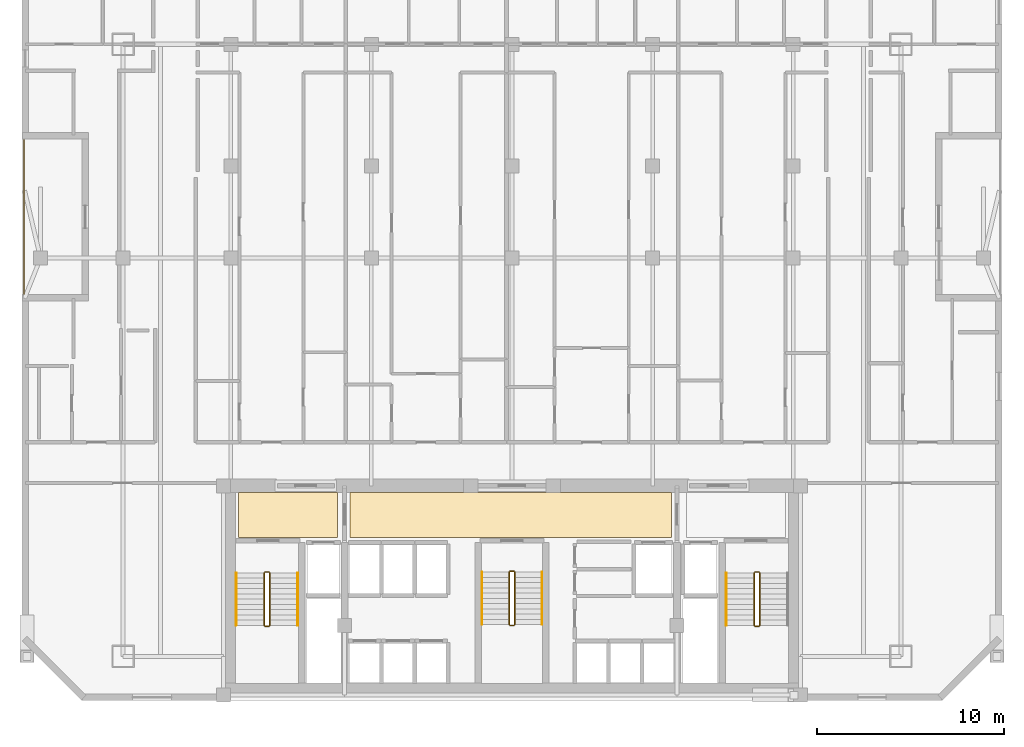
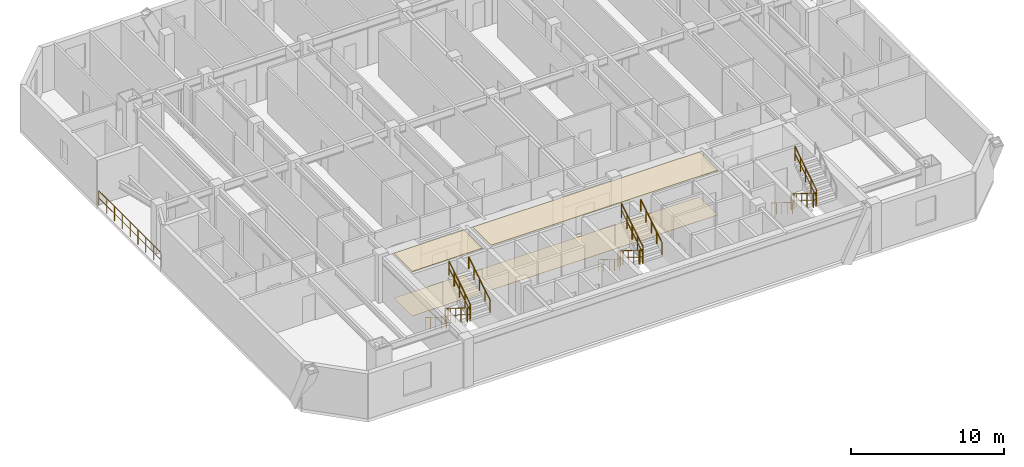
# One storey, part 10 of 11: 18 railings, 4 coverings.
"""IFC4 building model written with IfcOpenShell, lengths in metres."""

import ifcopenshell
import ifcopenshell.guid

model = None  # the IFC model being written
_history = None  # IfcOwnerHistory: only IFC2X3 demands one
_inside = {}  # id of a spatial element -> (the spatial element, [elements in it])
_under = {}  # id of a project, library or spatial element -> (it, [spatial elements below it])
_declared = {}  # id of a project -> (the project, [libraries it declares])
_typed = {}  # id of a type object -> (the type object, [elements of that type])
_made_of = {}  # id of a material, layer set ... -> (it, [elements and type objects made of it])


def new_model(schema):
    """Start an empty IFC model of exactly this schema.

    Asked for "IFC4X3", IfcOpenShell would pick the latest addendum, in which some entities
    have other attributes; the version numbers below select the first issue.
    IFC2X3 requires an IfcOwnerHistory on every rooted entity: one is made here for all.
    """
    global model, _history
    if schema == "IFC4X3":
        model = ifcopenshell.file(schema_version=(4, 3, 0, 0))
    else:
        model = ifcopenshell.file(schema=schema)
    _inside.clear()
    _under.clear()
    _declared.clear()
    _typed.clear()
    _made_of.clear()
    _history = None
    if model.schema == "IFC2X3":
        org = make("IfcOrganization", Name="unknown")
        user = make(
            "IfcPersonAndOrganization",
            ThePerson=make("IfcPerson", FamilyName="unknown"),
            TheOrganization=org,
        )
        app = make(
            "IfcApplication",
            ApplicationDeveloper=org,
            Version="unknown",
            ApplicationFullName="unknown",
            ApplicationIdentifier="unknown",
        )
        _history = make(
            "IfcOwnerHistory",
            OwningUser=user,
            OwningApplication=app,
            ChangeAction="ADDED",
            CreationDate=0,
        )
    return model


def make(cls, **values):
    """One entity of the class cls with the attributes given. An attribute that is None is left unset."""
    return model.create_entity(
        cls, **{name: value for name, value in values.items() if value is not None}
    )


def rooted(cls, **values):
    """An entity with a GlobalId (a new one), such as an element, a storey or a relation."""
    return make(cls, GlobalId=ifcopenshell.guid.new(), OwnerHistory=_history, **values)


def si_unit(unit_type, name, prefix=None):
    """IfcSIUnit, for example si_unit("LENGTHUNIT", "METRE", prefix="MILLI")."""
    return make("IfcSIUnit", UnitType=unit_type, Prefix=prefix, Name=name)


def assignment(units):
    """IfcUnitAssignment: the units of a project."""
    return None if units is None else make("IfcUnitAssignment", Units=units)


def point(xyz):
    """IfcCartesianPoint."""
    return None if xyz is None else make("IfcCartesianPoint", Coordinates=xyz)


def direction(xyz):
    """IfcDirection."""
    return None if xyz is None else make("IfcDirection", DirectionRatios=xyz)


def frame(location, z_axis=None, x_axis=None):
    """IfcAxis2Placement3D, a coordinate frame: its origin and axes. An axis left out is left unset."""
    return make(
        "IfcAxis2Placement3D",
        Location=point(location),
        Axis=direction(z_axis),
        RefDirection=direction(x_axis),
    )


def frame_2d(location, x_axis=None):
    """IfcAxis2Placement2D, a coordinate frame in the plane: its origin and x axis."""
    return make(
        "IfcAxis2Placement2D", Location=point(location), RefDirection=direction(x_axis)
    )


def origin():
    """The frame at (0, 0, 0) with its axes left unset."""
    return frame((0.0, 0.0, 0.0))


def origin_2d():
    """The frame at (0, 0) in the plane with its x axis left unset."""
    return frame_2d((0.0, 0.0))


def place(relative_to, where):
    """IfcLocalPlacement: puts the frame where relative to a parent placement (None: the world)."""
    return make(
        "IfcLocalPlacement", PlacementRelTo=relative_to, RelativePlacement=where
    )


def context(
    kind, dimensions, precision=None, world=None, true_north=None, identifier=None
):
    """IfcGeometricRepresentationContext, for example the 3D "Model" context."""
    return make(
        "IfcGeometricRepresentationContext",
        ContextIdentifier=identifier,
        ContextType=kind,
        CoordinateSpaceDimension=dimensions,
        Precision=precision,
        WorldCoordinateSystem=world,
        TrueNorth=true_north,
    )


def subcontext(parent, identifier, kind, view, scale=None):
    """IfcGeometricRepresentationSubContext, for example "Body" below "Model"."""
    return make(
        "IfcGeometricRepresentationSubContext",
        ContextIdentifier=identifier,
        ContextType=kind,
        ParentContext=parent,
        TargetScale=scale,
        TargetView=view,
    )


def project(units=None, contexts=None):
    """IfcProject with its units and contexts."""
    return rooted(
        "IfcProject",
        Name="project",
        RepresentationContexts=contexts,
        UnitsInContext=assignment(units),
    )


def spatial(cls, under=None, at=None, **own):
    """A site, building, storey or space (cls), placed at a placement, below another one or the project."""
    s = rooted(cls, ObjectPlacement=at, **own)
    if under is not None:
        _under.setdefault(under.id(), (under, []))[1].append(s)
    return s


def polyline(points):
    """IfcPolyline through the points."""
    return make("IfcPolyline", Points=[point(p) for p in points])


def profile(cls, at=None, kind="AREA", **sizes):
    """A parametric profile (cls). Its sizes go by their IFC names, for example OverallWidth=200.0."""
    return make(cls, ProfileType=kind, Position=at, **sizes)


def circle(**sizes):
    """IfcCircleProfileDef."""
    return profile("IfcCircleProfileDef", **sizes)


def outline(outer, holes=None, kind="AREA"):
    """IfcArbitraryClosedProfileDef: a profile drawn as a closed curve; with holes, ...WithVoids."""
    if holes is None:
        return make("IfcArbitraryClosedProfileDef", ProfileType=kind, OuterCurve=outer)
    return make(
        "IfcArbitraryProfileDefWithVoids",
        ProfileType=kind,
        OuterCurve=outer,
        InnerCurves=holes,
    )


def extrude(swept, where, along, depth):
    """IfcExtrudedAreaSolid: the profile swept, set in the frame where, extruded along a direction by depth."""
    return make(
        "IfcExtrudedAreaSolid",
        SweptArea=swept,
        Position=where,
        ExtrudedDirection=direction(along),
        Depth=depth,
    )


def shape(context_of_items, identifier, shape_type, items):
    """IfcShapeRepresentation: the items that make up one representation, for example the "Body"."""
    return make(
        "IfcShapeRepresentation",
        ContextOfItems=context_of_items,
        RepresentationIdentifier=identifier,
        RepresentationType=shape_type,
        Items=items,
    )


def material(Name=None, Category=None):
    """IfcMaterial."""
    return make("IfcMaterial", Name=Name, Category=Category)


def layer(
    of_material, thickness, ventilated=None, Name=None, Category=None, Priority=None
):
    """IfcMaterialLayer: one layer of a wall or slab, of a material (None: an air gap)."""
    return make(
        "IfcMaterialLayer",
        Material=of_material,
        LayerThickness=thickness,
        IsVentilated=ventilated,
        Name=Name,
        Category=Category,
        Priority=Priority,
    )


def layer_set(layers, Name=None):
    """IfcMaterialLayerSet."""
    return make("IfcMaterialLayerSet", MaterialLayers=layers, LayerSetName=Name)


def made_of(thing, what):
    """Note that an element or type object is made of a material, layer set ...; save() writes the relation."""
    if what is not None:
        _made_of.setdefault(what.id(), (what, []))[1].append(thing)
    return thing


def type_object(cls, material=None, **own):
    """A type object (cls), such as IfcWallType, which elements share."""
    return made_of(rooted(cls, **own), material)


def element(
    cls,
    number,
    at=None,
    inside=None,
    cuts=None,
    type_object=None,
    material=None,
    context=None,
    identifier="Body",
    shape_type=None,
    held_by="IfcProductDefinitionShape",
    body=None,
    shapes=None,
    **own,
):
    """One element of the class cls, such as IfcWall. Its Tag is "e" and its number.

    at: its placement. inside: the storey or other place that contains it. cuts: it is an
    opening in that element (IfcRelVoidsElement). A single representation is given by context,
    identifier, shape_type and body (its items); several are given by shapes. held_by: the class
    of the entity that holds the representations. save() writes the other relations.
    """
    e = rooted(cls, Tag="e%d" % number, ObjectPlacement=at, **own)
    if body is not None:
        shapes = [shape(context, identifier, shape_type, body)]
    if shapes is not None:
        e.Representation = make(held_by, Representations=shapes)
    if inside is not None:
        _inside.setdefault(inside.id(), (inside, []))[1].append(e)
    if cuts is not None:
        rooted(
            "IfcRelVoidsElement", RelatingBuildingElement=cuts, RelatedOpeningElement=e
        )
    if type_object is not None:
        _typed.setdefault(type_object.id(), (type_object, []))[1].append(e)
    return made_of(e, material)


def aggregate(whole, parts):
    """IfcRelAggregates: a whole, such as a stair, and the parts it consists of."""
    return rooted("IfcRelAggregates", RelatingObject=whole, RelatedObjects=parts)


def save(model, path):
    """Write the relations noted so far, then the file.

    IfcRelAggregates (storeys below a building ...), IfcRelContainedInSpatialStructure (elements
    in a storey), IfcRelDefinesByType, IfcRelAssociatesMaterial and IfcRelDeclares: one each for
    every whole, place, type object, material and project.
    """
    for whole, parts in _under.values():
        aggregate(whole, parts)
    for where, things in _inside.values():
        rooted(
            "IfcRelContainedInSpatialStructure",
            RelatedElements=things,
            RelatingStructure=where,
        )
    for kind, things in _typed.values():
        rooted("IfcRelDefinesByType", RelatedObjects=things, RelatingType=kind)
    for what, things in _made_of.values():
        rooted("IfcRelAssociatesMaterial", RelatedObjects=things, RelatingMaterial=what)
    for by, libraries in _declared.values():
        rooted("IfcRelDeclares", RelatingContext=by, RelatedDefinitions=libraries)
    model.write(path)


model = new_model("IFC4")

# Units and contexts
model_context = context("Model", 3, precision=1e-05, world=origin(), true_north=direction((0.0, 1.0)))
body_context = subcontext(model_context, "Body", "Model", "MODEL_VIEW")
ifc_project = project(units=[si_unit("LENGTHUNIT", "METRE"), si_unit("AREAUNIT", "SQUARE_METRE"), si_unit("VOLUMEUNIT", "CUBIC_METRE"), si_unit("PLANEANGLEUNIT", "RADIAN"), si_unit("MASSUNIT", "GRAM", prefix="KILO")], contexts=[model_context])

# Site, building, storey
site_placement = place(None, origin())
site = spatial("IfcSite", under=ifc_project, at=site_placement, CompositionType="ELEMENT")
building_placement = place(site_placement, origin())
building = spatial("IfcBuilding", under=site, at=building_placement, Name="Ventersveld Concourse Tower", CompositionType="ELEMENT")
storey_placement = place(building_placement, frame((0.0, 0.0, 119.550048828125)))
storey = spatial("IfcBuildingStorey", under=building, at=storey_placement, Name="L29", CompositionType="ELEMENT", Elevation=119.550048828125)

# Coverings
ifc_material_1 = material(Name="Mineral-fibre acoustic ceiling tile", Category="gypsum")
ifc_layer_1 = layer(ifc_material_1, 0.0400390625)
ifc_layer_set_1 = layer_set([ifc_layer_1], Name="Mineral-fibre acoustic ceiling tile")
covering_type_1 = type_object("IfcCoveringType", Name="COV-CEIL-ACOUSTIC", PredefinedType="CEILING", material=ifc_layer_set_1)
covering_1_placement = place(storey_placement, frame((0.0, 0.0, 3.56005859375)))
element("IfcCovering", 1, at=covering_1_placement, inside=storey, type_object=covering_type_1, Name="L29 North Lift Lobby Acoustic Ceiling", PredefinedType="CEILING", context=body_context, shape_type="SweptSolid", body=[
    extrude(outline(polyline([(20.10009765625, 8.699951171875), (37.25, 8.699951171875), (37.25, 11.10009765625), (20.10009765625, 11.10009765625), (20.10009765625, 8.699951171875)])), origin(), (0.0, 0.0, 1.0), 0.039794921875),
])
covering_2_placement = place(storey_placement, frame((0.0, 0.0, 3.56005859375)))
element("IfcCovering", 2, at=covering_2_placement, inside=storey, type_object=covering_type_1, Name="L29 West Firefighting Lobby Acoustic Ceiling", PredefinedType="CEILING", context=body_context, shape_type="SweptSolid", body=[
    extrude(outline(polyline([(14.14990234375, 8.699951171875), (19.449951171875, 8.699951171875), (19.449951171875, 11.10009765625), (14.14990234375, 11.10009765625), (14.14990234375, 8.699951171875)])), origin(), (0.0, 0.0, 1.0), 0.039794921875),
])
ifc_material_2 = material(Name="Polished Highveld granite terrazzo", Category="masonry")
ifc_layer_2 = layer(ifc_material_2, 0.02001953125)
ifc_layer_set_2 = layer_set([ifc_layer_2], Name="Polished Highveld granite terrazzo")
covering_type_2 = type_object("IfcCoveringType", Name="COV-FLOOR-TERRAZZO", PredefinedType="FLOORING", material=ifc_layer_set_2)
covering_3_placement = place(storey_placement, origin())
element("IfcCovering", 3, at=covering_3_placement, inside=storey, type_object=covering_type_2, Name="L29 North Lift Lobby Terrazzo Flooring", PredefinedType="FLOORING", context=body_context, shape_type="SweptSolid", body=[
    extrude(outline(polyline([(20.10009765625, 8.699951171875), (37.25, 8.699951171875), (37.25, 11.10009765625), (20.10009765625, 11.10009765625), (20.10009765625, 8.699951171875)])), origin(), (0.0, 0.0, 1.0), 0.02001953125),
])
covering_4_placement = place(storey_placement, origin())
element("IfcCovering", 4, at=covering_4_placement, inside=storey, type_object=covering_type_2, Name="L29 West Firefighting Lobby Terrazzo Flooring", PredefinedType="FLOORING", context=body_context, shape_type="SweptSolid", body=[
    extrude(outline(polyline([(14.14990234375, 8.699951171875), (19.449951171875, 8.699951171875), (19.449951171875, 11.10009765625), (14.14990234375, 11.10009765625), (14.14990234375, 8.699951171875)])), origin(), (0.0, 0.0, 1.0), 0.02001953125),
])

# Railings
ifc_material_3 = material(Name="Brushed stainless steel 316", Category="steel")
railing_type_1 = type_object("IfcRailingType", Name="GD-BAL-115", PredefinedType="GUARDRAIL", material=ifc_material_3)
railing_1_placement = place(storey_placement, frame((15.530029296875, 6.800048828125, 0.175048828125)))
element("IfcRailing", 5, at=railing_1_placement, inside=storey, type_object=railing_type_1, Name="L29 ST-01 stair guard 1", PredefinedType="GUARDRAIL", context=body_context, shape_type="SweptSolid", body=[
    extrude(circle(Radius=0.02392578125, at=origin_2d()), frame((0.0, 0.0, 1.1259765625), z_axis=(0.0, -0.848002457836, 0.529992293815), x_axis=(1.0, 0.0, 0.0)), (0.0, 0.0, 1.0), 3.302001953125),
    extrude(circle(Radius=0.01611328125, at=origin_2d()), frame((0.0, 0.0, 0.574951171875), z_axis=(0.0, -0.848002457836, 0.529992293815), x_axis=(1.0, 0.0, 0.0)), (0.0, 0.0, 1.0), 3.302001953125),
    extrude(circle(Radius=0.02099609375, at=origin_2d()), origin(), (0.0, 0.0, 1.0), 1.101806640625),
    extrude(circle(Radius=0.02099609375, at=origin_2d()), frame((0.0, -0.699951171875, 0.4375)), (0.0, 0.0, 1.0), 1.101806640625),
    extrude(circle(Radius=0.02099609375, at=origin_2d()), frame((0.0, -1.39990234375, 0.875)), (0.0, 0.0, 1.0), 1.101806640625),
    extrude(circle(Radius=0.02099609375, at=origin_2d()), frame((0.0, -2.10009765625, 1.3125)), (0.0, 0.0, 1.0), 1.101806640625),
    extrude(circle(Radius=0.02099609375, at=origin_2d()), frame((0.0, -2.800048828125, 1.75)), (0.0, 0.0, 1.0), 1.101806640625),
])
railing_2_placement = place(storey_placement, frame((15.580078125, 3.949951171875, 1.925048828125)))
element("IfcRailing", 6, at=railing_2_placement, inside=storey, type_object=railing_type_1, Name="L29 ST-01 stair guard 2", PredefinedType="GUARDRAIL", context=body_context, shape_type="SweptSolid", body=[
    extrude(circle(Radius=0.02392578125, at=origin_2d()), frame((0.0, 0.0, 1.1259765625), z_axis=(1.0, 0.0, 0.0), x_axis=(0.0, 1.0, 0.0)), (0.0, 0.0, 1.0), 0.199951171875),
    extrude(circle(Radius=0.01611328125, at=origin_2d()), frame((0.0, 0.0, 0.574951171875), z_axis=(1.0, 0.0, 0.0), x_axis=(0.0, 1.0, 0.0)), (0.0, 0.0, 1.0), 0.199951171875),
    extrude(circle(Radius=0.02099609375, at=origin_2d()), origin(), (0.0, 0.0, 1.0), 1.101806640625),
    extrude(circle(Radius=0.02099609375, at=origin_2d()), frame((0.199951171875, 0.0, 0.0)), (0.0, 0.0, 1.0), 1.101806640625),
])
railing_3_placement = place(storey_placement, frame((15.830078125, 4.0, 2.099853515625)))
element("IfcRailing", 7, at=railing_3_placement, inside=storey, type_object=railing_type_1, Name="L29 ST-01 stair guard 3", PredefinedType="GUARDRAIL", context=body_context, shape_type="SweptSolid", body=[
    extrude(circle(Radius=0.02392578125, at=origin_2d()), frame((0.0, 0.0, 1.1259765625), z_axis=(0.0, 0.848002457836, 0.529992293815), x_axis=(-1.0, 0.0, 0.0)), (0.0, 0.0, 1.0), 3.302001953125),
    extrude(circle(Radius=0.01611328125, at=origin_2d()), frame((0.0, 0.0, 0.574951171875), z_axis=(0.0, 0.848002457836, 0.529992293815), x_axis=(-1.0, 0.0, 0.0)), (0.0, 0.0, 1.0), 3.302001953125),
    extrude(circle(Radius=0.02099609375, at=origin_2d()), origin(), (0.0, 0.0, 1.0), 1.101806640625),
    extrude(circle(Radius=0.02099609375, at=origin_2d()), frame((0.0, 0.699951171875, 0.4375)), (0.0, 0.0, 1.0), 1.101806640625),
    extrude(circle(Radius=0.02099609375, at=origin_2d()), frame((0.0, 1.39990234375, 0.875)), (0.0, 0.0, 1.0), 1.101806640625),
    extrude(circle(Radius=0.02099609375, at=origin_2d()), frame((0.0, 2.10009765625, 1.3125)), (0.0, 0.0, 1.0), 1.101806640625),
    extrude(circle(Radius=0.02099609375, at=origin_2d()), frame((0.0, 2.800048828125, 1.75)), (0.0, 0.0, 1.0), 1.101806640625),
])
railing_4_placement = place(storey_placement, frame((15.580078125, 6.85009765625, 0.0)))
element("IfcRailing", 8, at=railing_4_placement, inside=storey, type_object=railing_type_1, Name="L29 ST-01 stair guard 4", PredefinedType="GUARDRAIL", context=body_context, shape_type="SweptSolid", body=[
    extrude(circle(Radius=0.02392578125, at=origin_2d()), frame((0.0, 0.0, 1.1259765625), z_axis=(1.0, 0.0, 0.0), x_axis=(0.0, 1.0, 0.0)), (0.0, 0.0, 1.0), 0.199951171875),
    extrude(circle(Radius=0.01611328125, at=origin_2d()), frame((0.0, 0.0, 0.574951171875), z_axis=(1.0, 0.0, 0.0), x_axis=(0.0, 1.0, 0.0)), (0.0, 0.0, 1.0), 0.199951171875),
    extrude(circle(Radius=0.02099609375, at=origin_2d()), origin(), (0.0, 0.0, 1.0), 1.101806640625),
    extrude(circle(Radius=0.02099609375, at=origin_2d()), frame((0.199951171875, 0.0, 0.0)), (0.0, 0.0, 1.0), 1.101806640625),
])
railing_5_placement = place(storey_placement, frame((41.669921875, 6.800048828125, 0.175048828125)))
element("IfcRailing", 9, at=railing_5_placement, inside=storey, type_object=railing_type_1, Name="L29 ST-02 stair guard 1", PredefinedType="GUARDRAIL", context=body_context, shape_type="SweptSolid", body=[
    extrude(circle(Radius=0.02392578125, at=origin_2d()), frame((0.0, 0.0, 1.1259765625), z_axis=(0.0, -0.848002457836, 0.529992293815), x_axis=(1.0, 0.0, 0.0)), (0.0, 0.0, 1.0), 3.302001953125),
    extrude(circle(Radius=0.01611328125, at=origin_2d()), frame((0.0, 0.0, 0.574951171875), z_axis=(0.0, -0.848002457836, 0.529992293815), x_axis=(1.0, 0.0, 0.0)), (0.0, 0.0, 1.0), 3.302001953125),
    extrude(circle(Radius=0.02099609375, at=origin_2d()), origin(), (0.0, 0.0, 1.0), 1.101806640625),
    extrude(circle(Radius=0.02099609375, at=origin_2d()), frame((0.0, -0.699951171875, 0.4375)), (0.0, 0.0, 1.0), 1.101806640625),
    extrude(circle(Radius=0.02099609375, at=origin_2d()), frame((0.0, -1.39990234375, 0.875)), (0.0, 0.0, 1.0), 1.101806640625),
    extrude(circle(Radius=0.02099609375, at=origin_2d()), frame((0.0, -2.10009765625, 1.3125)), (0.0, 0.0, 1.0), 1.101806640625),
    extrude(circle(Radius=0.02099609375, at=origin_2d()), frame((0.0, -2.800048828125, 1.75)), (0.0, 0.0, 1.0), 1.101806640625),
])
railing_6_placement = place(storey_placement, frame((41.719970703125, 3.949951171875, 1.925048828125)))
element("IfcRailing", 10, at=railing_6_placement, inside=storey, type_object=railing_type_1, Name="L29 ST-02 stair guard 2", PredefinedType="GUARDRAIL", context=body_context, shape_type="SweptSolid", body=[
    extrude(circle(Radius=0.02392578125, at=origin_2d()), frame((0.0, 0.0, 1.1259765625), z_axis=(1.0, 0.0, 0.0), x_axis=(0.0, 1.0, 0.0)), (0.0, 0.0, 1.0), 0.199951171875),
    extrude(circle(Radius=0.01611328125, at=origin_2d()), frame((0.0, 0.0, 0.574951171875), z_axis=(1.0, 0.0, 0.0), x_axis=(0.0, 1.0, 0.0)), (0.0, 0.0, 1.0), 0.199951171875),
    extrude(circle(Radius=0.02099609375, at=origin_2d()), origin(), (0.0, 0.0, 1.0), 1.101806640625),
    extrude(circle(Radius=0.02099609375, at=origin_2d()), frame((0.199951171875, 0.0, 0.0)), (0.0, 0.0, 1.0), 1.101806640625),
])
railing_7_placement = place(storey_placement, frame((41.969970703125, 4.0, 2.099853515625)))
element("IfcRailing", 11, at=railing_7_placement, inside=storey, type_object=railing_type_1, Name="L29 ST-02 stair guard 3", PredefinedType="GUARDRAIL", context=body_context, shape_type="SweptSolid", body=[
    extrude(circle(Radius=0.02392578125, at=origin_2d()), frame((0.0, 0.0, 1.1259765625), z_axis=(0.0, 0.848002457836, 0.529992293815), x_axis=(-1.0, 0.0, 0.0)), (0.0, 0.0, 1.0), 3.302001953125),
    extrude(circle(Radius=0.01611328125, at=origin_2d()), frame((0.0, 0.0, 0.574951171875), z_axis=(0.0, 0.848002457836, 0.529992293815), x_axis=(-1.0, 0.0, 0.0)), (0.0, 0.0, 1.0), 3.302001953125),
    extrude(circle(Radius=0.02099609375, at=origin_2d()), origin(), (0.0, 0.0, 1.0), 1.101806640625),
    extrude(circle(Radius=0.02099609375, at=origin_2d()), frame((0.0, 0.699951171875, 0.4375)), (0.0, 0.0, 1.0), 1.101806640625),
    extrude(circle(Radius=0.02099609375, at=origin_2d()), frame((0.0, 1.39990234375, 0.875)), (0.0, 0.0, 1.0), 1.101806640625),
    extrude(circle(Radius=0.02099609375, at=origin_2d()), frame((0.0, 2.10009765625, 1.3125)), (0.0, 0.0, 1.0), 1.101806640625),
    extrude(circle(Radius=0.02099609375, at=origin_2d()), frame((0.0, 2.800048828125, 1.75)), (0.0, 0.0, 1.0), 1.101806640625),
])
railing_8_placement = place(storey_placement, frame((41.719970703125, 6.85009765625, 0.0)))
element("IfcRailing", 12, at=railing_8_placement, inside=storey, type_object=railing_type_1, Name="L29 ST-02 stair guard 4", PredefinedType="GUARDRAIL", context=body_context, shape_type="SweptSolid", body=[
    extrude(circle(Radius=0.02392578125, at=origin_2d()), frame((0.0, 0.0, 1.1259765625), z_axis=(1.0, 0.0, 0.0), x_axis=(0.0, 1.0, 0.0)), (0.0, 0.0, 1.0), 0.199951171875),
    extrude(circle(Radius=0.01611328125, at=origin_2d()), frame((0.0, 0.0, 0.574951171875), z_axis=(1.0, 0.0, 0.0), x_axis=(0.0, 1.0, 0.0)), (0.0, 0.0, 1.0), 0.199951171875),
    extrude(circle(Radius=0.02099609375, at=origin_2d()), origin(), (0.0, 0.0, 1.0), 1.101806640625),
    extrude(circle(Radius=0.02099609375, at=origin_2d()), frame((0.199951171875, 0.0, 0.0)), (0.0, 0.0, 1.0), 1.101806640625),
])
railing_9_placement = place(storey_placement, frame((28.60009765625, 6.85009765625, 0.175048828125)))
element("IfcRailing", 13, at=railing_9_placement, inside=storey, type_object=railing_type_1, Name="L29 ST-03 stair guard 1", PredefinedType="GUARDRAIL", context=body_context, shape_type="SweptSolid", body=[
    extrude(circle(Radius=0.02392578125, at=origin_2d()), frame((0.0, 0.0, 1.1259765625), z_axis=(0.0, -0.848002457836, 0.529992293815), x_axis=(1.0, 0.0, 0.0)), (0.0, 0.0, 1.0), 3.302001953125),
    extrude(circle(Radius=0.01611328125, at=origin_2d()), frame((0.0, 0.0, 0.574951171875), z_axis=(0.0, -0.848002457836, 0.529992293815), x_axis=(1.0, 0.0, 0.0)), (0.0, 0.0, 1.0), 3.302001953125),
    extrude(circle(Radius=0.02099609375, at=origin_2d()), origin(), (0.0, 0.0, 1.0), 1.101806640625),
    extrude(circle(Radius=0.02099609375, at=origin_2d()), frame((0.0, -0.699951171875, 0.4375)), (0.0, 0.0, 1.0), 1.101806640625),
    extrude(circle(Radius=0.02099609375, at=origin_2d()), frame((0.0, -1.39990234375, 0.875)), (0.0, 0.0, 1.0), 1.101806640625),
    extrude(circle(Radius=0.02099609375, at=origin_2d()), frame((0.0, -2.10009765625, 1.3125)), (0.0, 0.0, 1.0), 1.101806640625),
    extrude(circle(Radius=0.02099609375, at=origin_2d()), frame((0.0, -2.800048828125, 1.75)), (0.0, 0.0, 1.0), 1.101806640625),
])
railing_10_placement = place(storey_placement, frame((28.64990234375, 4.0, 1.925048828125)))
element("IfcRailing", 14, at=railing_10_placement, inside=storey, type_object=railing_type_1, Name="L29 ST-03 stair guard 2", PredefinedType="GUARDRAIL", context=body_context, shape_type="SweptSolid", body=[
    extrude(circle(Radius=0.02392578125, at=origin_2d()), frame((0.0, 0.0, 1.1259765625), z_axis=(1.0, 0.0, 0.0), x_axis=(0.0, 1.0, 0.0)), (0.0, 0.0, 1.0), 0.2001953125),
    extrude(circle(Radius=0.01611328125, at=origin_2d()), frame((0.0, 0.0, 0.574951171875), z_axis=(1.0, 0.0, 0.0), x_axis=(0.0, 1.0, 0.0)), (0.0, 0.0, 1.0), 0.2001953125),
    extrude(circle(Radius=0.02099609375, at=origin_2d()), origin(), (0.0, 0.0, 1.0), 1.101806640625),
    extrude(circle(Radius=0.02099609375, at=origin_2d()), frame((0.2001953125, 0.0, 0.0)), (0.0, 0.0, 1.0), 1.101806640625),
])
railing_11_placement = place(storey_placement, frame((28.89990234375, 4.050048828125, 2.099853515625)))
element("IfcRailing", 15, at=railing_11_placement, inside=storey, type_object=railing_type_1, Name="L29 ST-03 stair guard 3", PredefinedType="GUARDRAIL", context=body_context, shape_type="SweptSolid", body=[
    extrude(circle(Radius=0.02392578125, at=origin_2d()), frame((0.0, 0.0, 1.1259765625), z_axis=(0.0, 0.848002457836, 0.529992293815), x_axis=(-1.0, 0.0, 0.0)), (0.0, 0.0, 1.0), 3.302001953125),
    extrude(circle(Radius=0.01611328125, at=origin_2d()), frame((0.0, 0.0, 0.574951171875), z_axis=(0.0, 0.848002457836, 0.529992293815), x_axis=(-1.0, 0.0, 0.0)), (0.0, 0.0, 1.0), 3.302001953125),
    extrude(circle(Radius=0.02099609375, at=origin_2d()), origin(), (0.0, 0.0, 1.0), 1.101806640625),
    extrude(circle(Radius=0.02099609375, at=origin_2d()), frame((0.0, 0.699951171875, 0.4375)), (0.0, 0.0, 1.0), 1.101806640625),
    extrude(circle(Radius=0.02099609375, at=origin_2d()), frame((0.0, 1.39990234375, 0.875)), (0.0, 0.0, 1.0), 1.101806640625),
    extrude(circle(Radius=0.02099609375, at=origin_2d()), frame((0.0, 2.10009765625, 1.3125)), (0.0, 0.0, 1.0), 1.101806640625),
    extrude(circle(Radius=0.02099609375, at=origin_2d()), frame((0.0, 2.800048828125, 1.75)), (0.0, 0.0, 1.0), 1.101806640625),
])
railing_12_placement = place(storey_placement, frame((28.64990234375, 6.89990234375, 0.0)))
element("IfcRailing", 16, at=railing_12_placement, inside=storey, type_object=railing_type_1, Name="L29 ST-03 stair guard 4", PredefinedType="GUARDRAIL", context=body_context, shape_type="SweptSolid", body=[
    extrude(circle(Radius=0.02392578125, at=origin_2d()), frame((0.0, 0.0, 1.1259765625), z_axis=(1.0, 0.0, 0.0), x_axis=(0.0, 1.0, 0.0)), (0.0, 0.0, 1.0), 0.2001953125),
    extrude(circle(Radius=0.01611328125, at=origin_2d()), frame((0.0, 0.0, 0.574951171875), z_axis=(1.0, 0.0, 0.0), x_axis=(0.0, 1.0, 0.0)), (0.0, 0.0, 1.0), 0.2001953125),
    extrude(circle(Radius=0.02099609375, at=origin_2d()), origin(), (0.0, 0.0, 1.0), 1.101806640625),
    extrude(circle(Radius=0.02099609375, at=origin_2d()), frame((0.2001953125, 0.0, 0.0)), (0.0, 0.0, 1.0), 1.101806640625),
])
railing_type_2 = type_object("IfcRailingType", Name="GD-TER-120", PredefinedType="GUARDRAIL", material=ifc_material_3)
railing_13_placement = place(storey_placement, frame((2.719970703125, 21.699951171875, 0.0)))
element("IfcRailing", 17, at=railing_13_placement, inside=storey, type_object=railing_type_2, Name="L29 Outdoor Terrace Guardrail NOTCH-W", PredefinedType="GUARDRAIL", context=body_context, shape_type="SweptSolid", body=[
    extrude(circle(Radius=0.02392578125, at=origin_2d()), frame((0.0, 0.0, 1.17578125), z_axis=(0.0, 1.0, 0.0), x_axis=(-1.0, 0.0, 0.0)), (0.0, 0.0, 1.0), 8.199951171875),
    extrude(circle(Radius=0.01611328125, at=origin_2d()), frame((0.0, 0.0, 0.60009765625), z_axis=(0.0, 1.0, 0.0), x_axis=(-1.0, 0.0, 0.0)), (0.0, 0.0, 1.0), 8.199951171875),
    extrude(circle(Radius=0.02099609375, at=origin_2d()), origin(), (0.0, 0.0, 1.0), 1.15185546875),
    extrude(circle(Radius=0.02099609375, at=origin_2d()), frame((0.0, 1.02490234375, 0.0)), (0.0, 0.0, 1.0), 1.15185546875),
    extrude(circle(Radius=0.02099609375, at=origin_2d()), frame((0.0, 2.050048828125, 0.0)), (0.0, 0.0, 1.0), 1.15185546875),
    extrude(circle(Radius=0.02099609375, at=origin_2d()), frame((0.0, 3.074951171875, 0.0)), (0.0, 0.0, 1.0), 1.15185546875),
    extrude(circle(Radius=0.02099609375, at=origin_2d()), frame((0.0, 4.10009765625, 0.0)), (0.0, 0.0, 1.0), 1.15185546875),
    extrude(circle(Radius=0.02099609375, at=origin_2d()), frame((0.0, 5.125, 0.0)), (0.0, 0.0, 1.0), 1.15185546875),
    extrude(circle(Radius=0.02099609375, at=origin_2d()), frame((0.0, 6.14990234375, 0.0)), (0.0, 0.0, 1.0), 1.15185546875),
    extrude(circle(Radius=0.02099609375, at=origin_2d()), frame((0.0, 7.175048828125, 0.0)), (0.0, 0.0, 1.0), 1.15185546875),
    extrude(circle(Radius=0.02099609375, at=origin_2d()), frame((0.0, 8.199951171875, 0.0)), (0.0, 0.0, 1.0), 1.15185546875),
])
railing_type_3 = type_object("IfcRailingType", Name="HR-RMP-095", PredefinedType="HANDRAIL", material=ifc_material_3)
railing_14_placement = place(storey_placement, frame((14.030029296875, 6.800048828125, 0.175048828125)))
element("IfcRailing", 18, at=railing_14_placement, inside=storey, type_object=railing_type_3, Name="L29 ST-01 stair handrail 1", PredefinedType="HANDRAIL", context=body_context, shape_type="SweptSolid", body=[
    extrude(circle(Radius=0.02392578125, at=origin_2d()), frame((0.0, 0.0, 0.92578125), z_axis=(0.0, -0.848002457836, 0.529992293815), x_axis=(1.0, 0.0, 0.0)), (0.0, 0.0, 1.0), 3.302001953125),
    extrude(circle(Radius=0.02099609375, at=origin_2d()), origin(), (0.0, 0.0, 1.0), 0.90185546875),
    extrude(circle(Radius=0.02099609375, at=origin_2d()), frame((0.0, -0.699951171875, 0.4375)), (0.0, 0.0, 1.0), 0.90185546875),
    extrude(circle(Radius=0.02099609375, at=origin_2d()), frame((0.0, -1.39990234375, 0.875)), (0.0, 0.0, 1.0), 0.90185546875),
    extrude(circle(Radius=0.02099609375, at=origin_2d()), frame((0.0, -2.10009765625, 1.3125)), (0.0, 0.0, 1.0), 0.90185546875),
    extrude(circle(Radius=0.02099609375, at=origin_2d()), frame((0.0, -2.800048828125, 1.75)), (0.0, 0.0, 1.0), 0.90185546875),
])
railing_15_placement = place(storey_placement, frame((17.330078125, 4.0, 2.099853515625)))
element("IfcRailing", 19, at=railing_15_placement, inside=storey, type_object=railing_type_3, Name="L29 ST-01 stair handrail 2", PredefinedType="HANDRAIL", context=body_context, shape_type="SweptSolid", body=[
    extrude(circle(Radius=0.02392578125, at=origin_2d()), frame((0.0, 0.0, 0.92578125), z_axis=(0.0, 0.848002457836, 0.529992293815), x_axis=(-1.0, 0.0, 0.0)), (0.0, 0.0, 1.0), 3.302001953125),
    extrude(circle(Radius=0.02099609375, at=origin_2d()), origin(), (0.0, 0.0, 1.0), 0.90185546875),
    extrude(circle(Radius=0.02099609375, at=origin_2d()), frame((0.0, 0.699951171875, 0.4375)), (0.0, 0.0, 1.0), 0.90185546875),
    extrude(circle(Radius=0.02099609375, at=origin_2d()), frame((0.0, 1.39990234375, 0.875)), (0.0, 0.0, 1.0), 0.90185546875),
    extrude(circle(Radius=0.02099609375, at=origin_2d()), frame((0.0, 2.10009765625, 1.3125)), (0.0, 0.0, 1.0), 0.90185546875),
    extrude(circle(Radius=0.02099609375, at=origin_2d()), frame((0.0, 2.800048828125, 1.75)), (0.0, 0.0, 1.0), 0.90185546875),
])
for number, where, name in (
    (20, (40.169921875, 6.800048828125, 0.175048828125), "L29 ST-02 stair handrail 1"),
    (21, (27.14990234375, 6.85009765625, 0.175048828125), "L29 ST-03 stair handrail 1"),
):
    element("IfcRailing", number, at=place(storey_placement, frame(where)), inside=storey, type_object=railing_type_3, Name=name, PredefinedType="HANDRAIL", context=body_context, shape_type="SweptSolid", body=[
        extrude(circle(Radius=0.02392578125, at=origin_2d()), frame((0.0, 0.0, 0.92578125), z_axis=(0.0, -0.848002457836, 0.529992293815), x_axis=(1.0, 0.0, 0.0)), (0.0, 0.0, 1.0), 3.302001953125),
        extrude(circle(Radius=0.02099609375, at=origin_2d()), origin(), (0.0, 0.0, 1.0), 0.90185546875),
        extrude(circle(Radius=0.02099609375, at=origin_2d()), frame((0.0, -0.699951171875, 0.4375)), (0.0, 0.0, 1.0), 0.90185546875),
        extrude(circle(Radius=0.02099609375, at=origin_2d()), frame((0.0, -1.39990234375, 0.875)), (0.0, 0.0, 1.0), 0.90185546875),
        extrude(circle(Radius=0.02099609375, at=origin_2d()), frame((0.0, -2.10009765625, 1.3125)), (0.0, 0.0, 1.0), 0.90185546875),
        extrude(circle(Radius=0.02099609375, at=origin_2d()), frame((0.0, -2.800048828125, 1.75)), (0.0, 0.0, 1.0), 0.90185546875),
    ])
railing_16_placement = place(storey_placement, frame((30.35009765625, 4.050048828125, 2.099853515625)))
element("IfcRailing", 22, at=railing_16_placement, inside=storey, type_object=railing_type_3, Name="L29 ST-03 stair handrail 2", PredefinedType="HANDRAIL", context=body_context, shape_type="SweptSolid", body=[
    extrude(circle(Radius=0.02392578125, at=origin_2d()), frame((0.0, 0.0, 0.92578125), z_axis=(0.0, 0.848002457836, 0.529992293815), x_axis=(-1.0, 0.0, 0.0)), (0.0, 0.0, 1.0), 3.302001953125),
    extrude(circle(Radius=0.02099609375, at=origin_2d()), origin(), (0.0, 0.0, 1.0), 0.90185546875),
    extrude(circle(Radius=0.02099609375, at=origin_2d()), frame((0.0, 0.699951171875, 0.4375)), (0.0, 0.0, 1.0), 0.90185546875),
    extrude(circle(Radius=0.02099609375, at=origin_2d()), frame((0.0, 1.39990234375, 0.875)), (0.0, 0.0, 1.0), 0.90185546875),
    extrude(circle(Radius=0.02099609375, at=origin_2d()), frame((0.0, 2.10009765625, 1.3125)), (0.0, 0.0, 1.0), 0.90185546875),
    extrude(circle(Radius=0.02099609375, at=origin_2d()), frame((0.0, 2.800048828125, 1.75)), (0.0, 0.0, 1.0), 0.90185546875),
])

save(model, "model.ifc")
